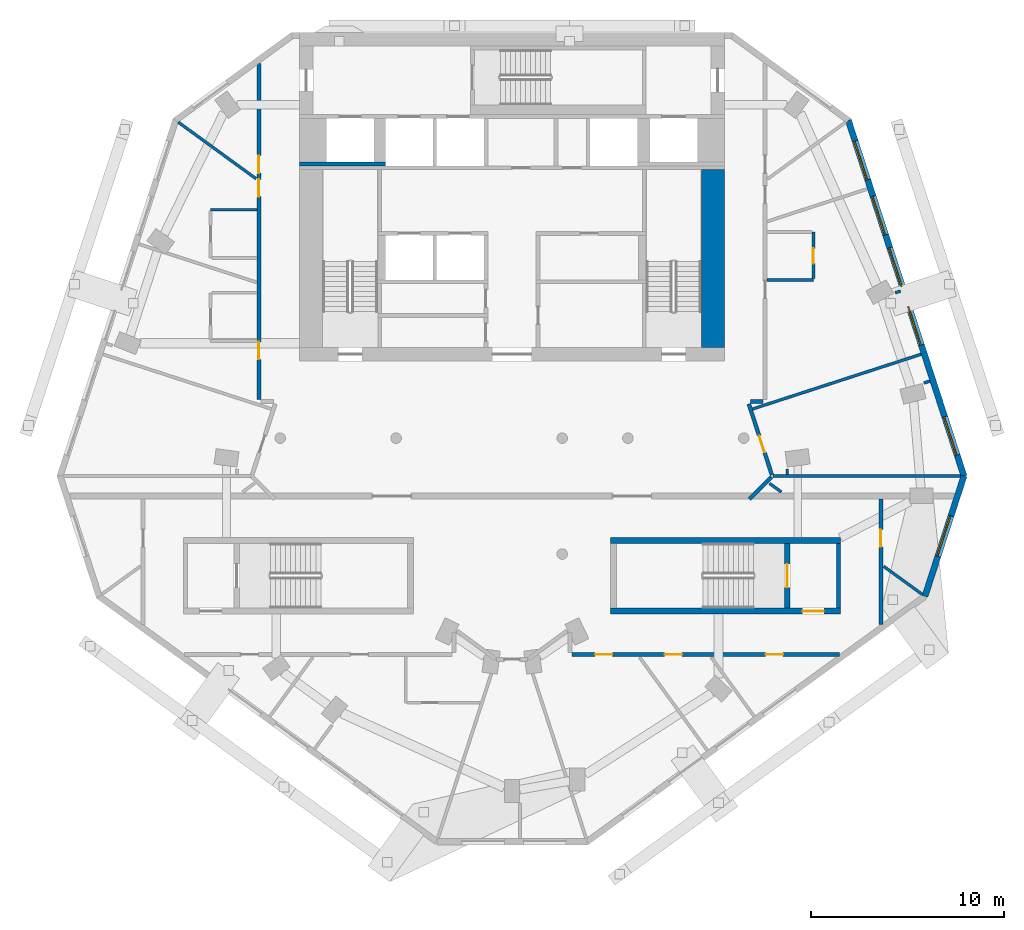
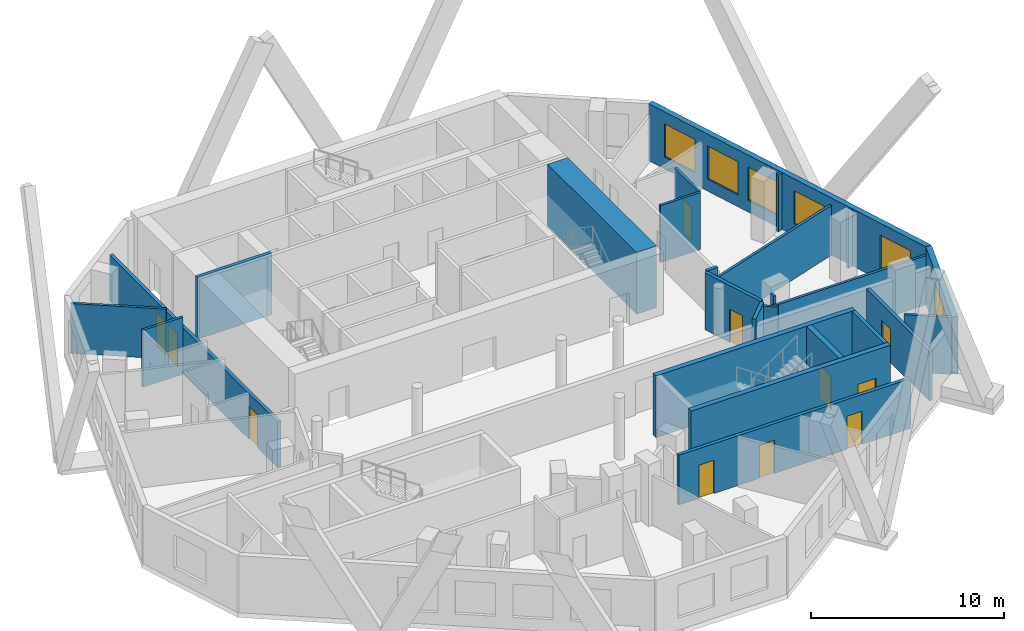
# One storey, part 5 of 9: 25 walls, 11 doors, 6 windows, 17 openings.
"""IFC4 building model written with IfcOpenShell, lengths in metres."""

import ifcopenshell
import ifcopenshell.guid

model = None  # the IFC model being written
_history = None  # IfcOwnerHistory: only IFC2X3 demands one
_inside = {}  # id of a spatial element -> (the spatial element, [elements in it])
_under = {}  # id of a project, library or spatial element -> (it, [spatial elements below it])
_declared = {}  # id of a project -> (the project, [libraries it declares])
_typed = {}  # id of a type object -> (the type object, [elements of that type])
_made_of = {}  # id of a material, layer set ... -> (it, [elements and type objects made of it])


def new_model(schema):
    """Start an empty IFC model of exactly this schema.

    Asked for "IFC4X3", IfcOpenShell would pick the latest addendum, in which some entities
    have other attributes; the version numbers below select the first issue.
    IFC2X3 requires an IfcOwnerHistory on every rooted entity: one is made here for all.
    """
    global model, _history
    if schema == "IFC4X3":
        model = ifcopenshell.file(schema_version=(4, 3, 0, 0))
    else:
        model = ifcopenshell.file(schema=schema)
    _inside.clear()
    _under.clear()
    _declared.clear()
    _typed.clear()
    _made_of.clear()
    _history = None
    if model.schema == "IFC2X3":
        org = make("IfcOrganization", Name="unknown")
        user = make(
            "IfcPersonAndOrganization",
            ThePerson=make("IfcPerson", FamilyName="unknown"),
            TheOrganization=org,
        )
        app = make(
            "IfcApplication",
            ApplicationDeveloper=org,
            Version="unknown",
            ApplicationFullName="unknown",
            ApplicationIdentifier="unknown",
        )
        _history = make(
            "IfcOwnerHistory",
            OwningUser=user,
            OwningApplication=app,
            ChangeAction="ADDED",
            CreationDate=0,
        )
    return model


def make(cls, **values):
    """One entity of the class cls with the attributes given. An attribute that is None is left unset."""
    return model.create_entity(
        cls, **{name: value for name, value in values.items() if value is not None}
    )


def rooted(cls, **values):
    """An entity with a GlobalId (a new one), such as an element, a storey or a relation."""
    return make(cls, GlobalId=ifcopenshell.guid.new(), OwnerHistory=_history, **values)


def si_unit(unit_type, name, prefix=None):
    """IfcSIUnit, for example si_unit("LENGTHUNIT", "METRE", prefix="MILLI")."""
    return make("IfcSIUnit", UnitType=unit_type, Prefix=prefix, Name=name)


def assignment(units):
    """IfcUnitAssignment: the units of a project."""
    return None if units is None else make("IfcUnitAssignment", Units=units)


def point(xyz):
    """IfcCartesianPoint."""
    return None if xyz is None else make("IfcCartesianPoint", Coordinates=xyz)


def direction(xyz):
    """IfcDirection."""
    return None if xyz is None else make("IfcDirection", DirectionRatios=xyz)


def frame(location, z_axis=None, x_axis=None):
    """IfcAxis2Placement3D, a coordinate frame: its origin and axes. An axis left out is left unset."""
    return make(
        "IfcAxis2Placement3D",
        Location=point(location),
        Axis=direction(z_axis),
        RefDirection=direction(x_axis),
    )


def frame_2d(location, x_axis=None):
    """IfcAxis2Placement2D, a coordinate frame in the plane: its origin and x axis."""
    return make(
        "IfcAxis2Placement2D", Location=point(location), RefDirection=direction(x_axis)
    )


def origin():
    """The frame at (0, 0, 0) with its axes left unset."""
    return frame((0.0, 0.0, 0.0))


def place(relative_to, where):
    """IfcLocalPlacement: puts the frame where relative to a parent placement (None: the world)."""
    return make(
        "IfcLocalPlacement", PlacementRelTo=relative_to, RelativePlacement=where
    )


def context(
    kind, dimensions, precision=None, world=None, true_north=None, identifier=None
):
    """IfcGeometricRepresentationContext, for example the 3D "Model" context."""
    return make(
        "IfcGeometricRepresentationContext",
        ContextIdentifier=identifier,
        ContextType=kind,
        CoordinateSpaceDimension=dimensions,
        Precision=precision,
        WorldCoordinateSystem=world,
        TrueNorth=true_north,
    )


def subcontext(parent, identifier, kind, view, scale=None):
    """IfcGeometricRepresentationSubContext, for example "Body" below "Model"."""
    return make(
        "IfcGeometricRepresentationSubContext",
        ContextIdentifier=identifier,
        ContextType=kind,
        ParentContext=parent,
        TargetScale=scale,
        TargetView=view,
    )


def project(units=None, contexts=None):
    """IfcProject with its units and contexts."""
    return rooted(
        "IfcProject",
        Name="project",
        RepresentationContexts=contexts,
        UnitsInContext=assignment(units),
    )


def spatial(cls, under=None, at=None, **own):
    """A site, building, storey or space (cls), placed at a placement, below another one or the project."""
    s = rooted(cls, ObjectPlacement=at, **own)
    if under is not None:
        _under.setdefault(under.id(), (under, []))[1].append(s)
    return s


def profile(cls, at=None, kind="AREA", **sizes):
    """A parametric profile (cls). Its sizes go by their IFC names, for example OverallWidth=200.0."""
    return make(cls, ProfileType=kind, Position=at, **sizes)


def rectangle(**sizes):
    """IfcRectangleProfileDef."""
    return profile("IfcRectangleProfileDef", **sizes)


def extrude(swept, where, along, depth):
    """IfcExtrudedAreaSolid: the profile swept, set in the frame where, extruded along a direction by depth."""
    return make(
        "IfcExtrudedAreaSolid",
        SweptArea=swept,
        Position=where,
        ExtrudedDirection=direction(along),
        Depth=depth,
    )


def shape(context_of_items, identifier, shape_type, items):
    """IfcShapeRepresentation: the items that make up one representation, for example the "Body"."""
    return make(
        "IfcShapeRepresentation",
        ContextOfItems=context_of_items,
        RepresentationIdentifier=identifier,
        RepresentationType=shape_type,
        Items=items,
    )


def material(Name=None, Category=None):
    """IfcMaterial."""
    return make("IfcMaterial", Name=Name, Category=Category)


def layer(
    of_material, thickness, ventilated=None, Name=None, Category=None, Priority=None
):
    """IfcMaterialLayer: one layer of a wall or slab, of a material (None: an air gap)."""
    return make(
        "IfcMaterialLayer",
        Material=of_material,
        LayerThickness=thickness,
        IsVentilated=ventilated,
        Name=Name,
        Category=Category,
        Priority=Priority,
    )


def layer_set(layers, Name=None):
    """IfcMaterialLayerSet."""
    return make("IfcMaterialLayerSet", MaterialLayers=layers, LayerSetName=Name)


def made_of(thing, what):
    """Note that an element or type object is made of a material, layer set ...; save() writes the relation."""
    if what is not None:
        _made_of.setdefault(what.id(), (what, []))[1].append(thing)
    return thing


def type_object(cls, material=None, **own):
    """A type object (cls), such as IfcWallType, which elements share."""
    return made_of(rooted(cls, **own), material)


def element(
    cls,
    number,
    at=None,
    inside=None,
    cuts=None,
    type_object=None,
    material=None,
    context=None,
    identifier="Body",
    shape_type=None,
    held_by="IfcProductDefinitionShape",
    body=None,
    shapes=None,
    **own,
):
    """One element of the class cls, such as IfcWall. Its Tag is "e" and its number.

    at: its placement. inside: the storey or other place that contains it. cuts: it is an
    opening in that element (IfcRelVoidsElement). A single representation is given by context,
    identifier, shape_type and body (its items); several are given by shapes. held_by: the class
    of the entity that holds the representations. save() writes the other relations.
    """
    e = rooted(cls, Tag="e%d" % number, ObjectPlacement=at, **own)
    if body is not None:
        shapes = [shape(context, identifier, shape_type, body)]
    if shapes is not None:
        e.Representation = make(held_by, Representations=shapes)
    if inside is not None:
        _inside.setdefault(inside.id(), (inside, []))[1].append(e)
    if cuts is not None:
        rooted(
            "IfcRelVoidsElement", RelatingBuildingElement=cuts, RelatedOpeningElement=e
        )
    if type_object is not None:
        _typed.setdefault(type_object.id(), (type_object, []))[1].append(e)
    return made_of(e, material)


def fill(opening, filler):
    """IfcRelFillsElement: the door or window that sits in an opening."""
    return rooted(
        "IfcRelFillsElement",
        RelatingOpeningElement=opening,
        RelatedBuildingElement=filler,
    )


def aggregate(whole, parts):
    """IfcRelAggregates: a whole, such as a stair, and the parts it consists of."""
    return rooted("IfcRelAggregates", RelatingObject=whole, RelatedObjects=parts)


def save(model, path):
    """Write the relations noted so far, then the file.

    IfcRelAggregates (storeys below a building ...), IfcRelContainedInSpatialStructure (elements
    in a storey), IfcRelDefinesByType, IfcRelAssociatesMaterial and IfcRelDeclares: one each for
    every whole, place, type object, material and project.
    """
    for whole, parts in _under.values():
        aggregate(whole, parts)
    for where, things in _inside.values():
        rooted(
            "IfcRelContainedInSpatialStructure",
            RelatedElements=things,
            RelatingStructure=where,
        )
    for kind, things in _typed.values():
        rooted("IfcRelDefinesByType", RelatedObjects=things, RelatingType=kind)
    for what, things in _made_of.values():
        rooted("IfcRelAssociatesMaterial", RelatedObjects=things, RelatingMaterial=what)
    for by, libraries in _declared.values():
        rooted("IfcRelDeclares", RelatingContext=by, RelatedDefinitions=libraries)
    model.write(path)


model = new_model("IFC4")

# Units and contexts
model_context = context("Model", 3, precision=1e-05, world=origin(), true_north=direction((0.0, 1.0)))
body_context = subcontext(model_context, "Body", "Model", "MODEL_VIEW")
ifc_project = project(units=[si_unit("LENGTHUNIT", "METRE"), si_unit("AREAUNIT", "SQUARE_METRE"), si_unit("VOLUMEUNIT", "CUBIC_METRE"), si_unit("PLANEANGLEUNIT", "RADIAN"), si_unit("MASSUNIT", "GRAM", prefix="KILO")], contexts=[model_context])

# Site, building, storey
site_placement = place(None, origin())
site = spatial("IfcSite", under=ifc_project, at=site_placement, CompositionType="ELEMENT")
building_placement = place(site_placement, origin())
building = spatial("IfcBuilding", under=site, at=building_placement, Name="White Candle Pilgrim Tower", CompositionType="ELEMENT")
storey_placement = place(building_placement, frame((0.0, 0.0, 260.0)))
storey = spatial("IfcBuildingStorey", under=building, at=storey_placement, Name="L61", CompositionType="ELEMENT", Elevation=260.0)

# Walls
ifc_material_1 = material(Name="Concrete C50/60", Category="concrete")
ifc_layer_1 = layer(ifc_material_1, 0.199951171875)
ifc_layer_set_1 = layer_set([ifc_layer_1], Name="Core wall 200 mm Concrete C50/60")
wall_type_1 = type_object("IfcWallType", Name="Core wall 200 mm Concrete C50/60", PredefinedType="SHEAR", material=ifc_layer_set_1)
wall_1_placement = place(storey_placement, frame((86.89990234375, 58.199951171875, 0.0), z_axis=(0.0, 0.0, 1.0), x_axis=(0.0, 1.0, 0.0)))
element("IfcWall", 1, at=wall_1_placement, inside=storey, type_object=wall_type_1, Name="WL-L61-C08", PredefinedType="SHEAR", context=body_context, shape_type="SweptSolid", body=[
    extrude(rectangle(XDim=3.35009765625, YDim=0.199951171875, at=frame_2d((1.675048828125, 0.0))), origin(), (0.0, 0.0, 1.0), 3.89990234375),
])
wall_2_placement = place(storey_placement, frame((59.0, 81.199951171875, 0.0), z_axis=(0.0, 0.0, 1.0), x_axis=(1.0, 0.0, 0.0)))
element("IfcWall", 2, at=wall_2_placement, inside=storey, type_object=wall_type_1, Name="WL-L61-C33", PredefinedType="SHEAR", context=body_context, shape_type="SweptSolid", body=[
    extrude(rectangle(XDim=4.449951171875, YDim=0.199951171875, at=frame_2d((2.22509765625, 0.0))), origin(), (0.0, 0.0, 1.0), 3.89990234375),
])

# Wall, openings, doors
ifc_material_2 = material(Name="Gypsum board on steel studs", Category="steel")
ifc_layer_2 = layer(ifc_material_2, 0.199951171875)
ifc_layer_set_2 = layer_set([ifc_layer_2], Name="Corridor wall 200 mm EI 45")
wall_type_2 = type_object("IfcWallType", Name="Corridor wall 200 mm EI 45", PredefinedType="PARTITIONING", material=ifc_layer_set_2)
wall_3_placement = place(storey_placement, frame((56.89990234375, 69.0, 0.0), z_axis=(0.0, 0.0, 1.0), x_axis=(0.0, 1.0, 0.0)))
wall_3 = element("IfcWall", 3, at=wall_3_placement, inside=storey, type_object=wall_type_2, Name="WL-L61-P006", PredefinedType="PARTITIONING", context=body_context, shape_type="SweptSolid", body=[
    extrude(rectangle(XDim=17.396240234375, YDim=0.199951171875, at=frame_2d((8.6982421875, 0.0))), origin(), (0.0, 0.0, 1.0), 2.89990234375),
])
opening_1_placement = place(wall_3_placement, frame((2.084716796875, 0.0, 0.0)))
opening_1 = element("IfcOpeningElement", 4, at=opening_1_placement, cuts=wall_3, Name="Opening T19-115", PredefinedType="OPENING", context=body_context, shape_type="SweptSolid", body=[
    extrude(rectangle(XDim=0.89990234375, YDim=2.10009765625, at=frame_2d((0.449951171875, 1.050048828125))), frame((0.0, 0.10986328125, 0.0), z_axis=(0.0, -1.0, 0.0), x_axis=(1.0, 0.0, 0.0)), (0.0, 0.0, 1.0), 0.219970703125),
])
opening_2_placement = place(wall_3_placement, frame((10.502197265625, 0.0, 0.0)))
opening_2 = element("IfcOpeningElement", 5, at=opening_2_placement, cuts=wall_3, Name="Opening T19-116", PredefinedType="OPENING", context=body_context, shape_type="SweptSolid", body=[
    extrude(rectangle(XDim=0.89990234375, YDim=2.10009765625, at=frame_2d((0.449951171875, 1.050048828125))), frame((0.0, 0.10986328125, 0.0), z_axis=(0.0, -1.0, 0.0), x_axis=(1.0, 0.0, 0.0)), (0.0, 0.0, 1.0), 0.219970703125),
])
opening_3_placement = place(wall_3_placement, frame((11.727294921875, 0.0, 0.0)))
opening_3 = element("IfcOpeningElement", 6, at=opening_3_placement, cuts=wall_3, Name="Opening T19-117", PredefinedType="OPENING", context=body_context, shape_type="SweptSolid", body=[
    extrude(rectangle(XDim=0.89990234375, YDim=2.10009765625, at=frame_2d((0.449951171875, 1.050048828125))), frame((0.0, 0.10986328125, 0.0), z_axis=(0.0, -1.0, 0.0), x_axis=(1.0, 0.0, 0.0)), (0.0, 0.0, 1.0), 0.219970703125),
])
ifc_material_3 = material(Name="Steel door leaf", Category="steel")
door_type_1 = type_object("IfcDoorType", Name="Fire door 900 x 2100 EI 30", OperationType="NOTDEFINED", PredefinedType="DOOR", material=ifc_material_3)
door_1_placement = place(opening_1_placement, frame((0.89990234375, 0.0, 0.0), z_axis=(0.0, 0.0, 1.0), x_axis=(-1.0, 0.0, 0.0)))
door_1 = element("IfcDoor", 7, at=door_1_placement, inside=storey, type_object=door_type_1, Name="Door T19-115", OperationType="SINGLE_SWING_RIGHT", OverallHeight=2.10009765625, OverallWidth=0.89990234375, PredefinedType="DOOR", context=body_context, shape_type="SweptSolid", body=[
    extrude(rectangle(XDim=0.89990234375, YDim=2.10009765625, at=frame_2d((0.449951171875, 1.050048828125))), frame((0.0, 0.02490234375, 0.0), z_axis=(0.0, -1.0, 0.0), x_axis=(1.0, 0.0, 0.0)), (0.0, 0.0, 1.0), 0.050048828125),
])
fill(opening_1, door_1)
door_2_placement = place(opening_2_placement, origin())
door_2 = element("IfcDoor", 8, at=door_2_placement, inside=storey, type_object=door_type_1, Name="Door T19-116", OperationType="SINGLE_SWING_RIGHT", OverallHeight=2.10009765625, OverallWidth=0.89990234375, PredefinedType="DOOR", context=body_context, shape_type="SweptSolid", body=[
    extrude(rectangle(XDim=0.89990234375, YDim=2.10009765625, at=frame_2d((0.449951171875, 1.050048828125))), frame((0.0, 0.02490234375, 0.0), z_axis=(0.0, -1.0, 0.0), x_axis=(1.0, 0.0, 0.0)), (0.0, 0.0, 1.0), 0.050048828125),
])
fill(opening_2, door_2)
door_3_placement = place(opening_3_placement, origin())
door_3 = element("IfcDoor", 9, at=door_3_placement, inside=storey, type_object=door_type_1, Name="Door T19-117", OperationType="SINGLE_SWING_LEFT", OverallHeight=2.10009765625, OverallWidth=0.89990234375, PredefinedType="DOOR", context=body_context, shape_type="SweptSolid", body=[
    extrude(rectangle(XDim=0.89990234375, YDim=2.10009765625, at=frame_2d((0.449951171875, 1.050048828125))), frame((0.0, 0.02490234375, 0.0), z_axis=(0.0, -1.0, 0.0), x_axis=(1.0, 0.0, 0.0)), (0.0, 0.0, 1.0), 0.050048828125),
])
fill(opening_3, door_3)

# Wall
wall_4_placement = place(storey_placement, frame((83.0, 68.89990234375, 0.0), z_axis=(0.0, 0.0, 1.0), x_axis=(-1.0, 0.0, 0.0)))
element("IfcWall", 10, at=wall_4_placement, inside=storey, type_object=wall_type_2, Name="WL-L61-P008", PredefinedType="PARTITIONING", context=body_context, shape_type="SweptSolid", body=[
    extrude(rectangle(XDim=0.64208984375, YDim=0.199951171875, at=frame_2d((0.321044921875, 0.0))), origin(), (0.0, 0.0, 1.0), 3.60009765625),
])

# Wall, opening, door
wall_5_placement = place(storey_placement, frame((82.2626953125, 68.76904296875, 0.0), z_axis=(0.0, 0.0, 1.0), x_axis=(0.309050338142, -0.951045681602, 0.0)))
wall_5 = element("IfcWall", 11, at=wall_5_placement, inside=storey, type_object=wall_type_2, Name="WL-L61-P009", PredefinedType="PARTITIONING", context=body_context, shape_type="SweptSolid", body=[
    extrude(rectangle(XDim=3.862060546875, YDim=0.199951171875, at=frame_2d((1.93115234375, 0.0))), origin(), (0.0, 0.0, 1.0), 3.60009765625),
])
opening_4_placement = place(wall_5_placement, frame((1.731201171875, 0.0, 0.0)))
opening_4 = element("IfcOpeningElement", 12, at=opening_4_placement, cuts=wall_5, Name="Opening T19-121", PredefinedType="OPENING", context=body_context, shape_type="SweptSolid", body=[
    extrude(rectangle(XDim=0.89990234375, YDim=2.10009765625, at=frame_2d((0.449951171875, 1.050048828125))), frame((0.0, 0.10986328125, 0.0), z_axis=(0.0, -1.0, 0.0), x_axis=(1.0, 0.0, 0.0)), (0.0, 0.0, 1.0), 0.219970703125),
])
door_4_placement = place(opening_4_placement, origin())
door_4 = element("IfcDoor", 13, at=door_4_placement, inside=storey, type_object=door_type_1, Name="Door T19-121", OperationType="SINGLE_SWING_LEFT", OverallHeight=2.10009765625, OverallWidth=0.89990234375, PredefinedType="DOOR", context=body_context, shape_type="SweptSolid", body=[
    extrude(rectangle(XDim=0.89990234375, YDim=2.10009765625, at=frame_2d((0.449951171875, 1.050048828125))), frame((0.0, 0.02490234375, 0.0), z_axis=(0.0, -1.0, 0.0), x_axis=(1.0, 0.0, 0.0)), (0.0, 0.0, 1.0), 0.050048828125),
])
fill(opening_4, door_4)

# Wall
wall_6_placement = place(storey_placement, frame((83.431884765625, 64.994384765625, 0.0), z_axis=(0.0, 0.0, 1.0), x_axis=(-0.70635124515, -0.707861510802, 0.0)))
element("IfcWall", 14, at=wall_6_placement, inside=storey, type_object=wall_type_2, Name="WL-L61-P010", PredefinedType="PARTITIONING", context=body_context, shape_type="SweptSolid", body=[
    extrude(rectangle(XDim=1.616455078125, YDim=0.199951171875, at=frame_2d((0.80810546875, 0.0))), origin(), (0.0, 0.0, 1.0), 3.60009765625),
])

# Wall, opening, door
wall_7_placement = place(storey_placement, frame((89.10009765625, 63.85009765625, 0.0), z_axis=(0.0, 0.0, 1.0), x_axis=(0.0, -1.0, 0.0)))
wall_7 = element("IfcWall", 15, at=wall_7_placement, inside=storey, type_object=wall_type_2, Name="WL-L61-P011", PredefinedType="PARTITIONING", context=body_context, shape_type="SweptSolid", body=[
    extrude(rectangle(XDim=6.49560546875, YDim=0.199951171875, at=frame_2d((3.247802734375, 0.0))), origin(), (0.0, 0.0, 1.0), 3.14990234375),
])
opening_5_placement = place(wall_7_placement, frame((1.580810546875, 0.0, 0.0)))
opening_5 = element("IfcOpeningElement", 16, at=opening_5_placement, cuts=wall_7, Name="Opening T19-122", PredefinedType="OPENING", context=body_context, shape_type="SweptSolid", body=[
    extrude(rectangle(XDim=0.89990234375, YDim=2.10009765625, at=frame_2d((0.449951171875, 1.050048828125))), frame((0.0, 0.10986328125, 0.0), z_axis=(0.0, -1.0, 0.0), x_axis=(1.0, 0.0, 0.0)), (0.0, 0.0, 1.0), 0.219970703125),
])
door_5_placement = place(opening_5_placement, origin())
door_5 = element("IfcDoor", 17, at=door_5_placement, inside=storey, type_object=door_type_1, Name="Door T19-122", OperationType="SINGLE_SWING_RIGHT", OverallHeight=2.10009765625, OverallWidth=0.89990234375, PredefinedType="DOOR", context=body_context, shape_type="SweptSolid", body=[
    extrude(rectangle(XDim=0.89990234375, YDim=2.10009765625, at=frame_2d((0.449951171875, 1.050048828125))), frame((0.0, 0.02490234375, 0.0), z_axis=(0.0, -1.0, 0.0), x_axis=(1.0, 0.0, 0.0)), (0.0, 0.0, 1.0), 0.050048828125),
])
fill(opening_5, door_5)

# Wall, openings, doors
wall_8_placement = place(storey_placement, frame((86.96044921875, 55.800048828125, 0.0), z_axis=(0.0, 0.0, 1.0), x_axis=(-1.0, 0.0, 0.0)))
wall_8 = element("IfcWall", 18, at=wall_8_placement, inside=storey, type_object=wall_type_2, Name="WL-L61-P012", PredefinedType="PARTITIONING", context=body_context, shape_type="SweptSolid", body=[
    extrude(rectangle(XDim=13.8603515625, YDim=0.199951171875, at=frame_2d((6.93017578125, 0.0))), origin(), (0.0, 0.0, 1.0), 3.14990234375),
])
opening_6_placement = place(wall_8_placement, frame((11.759521484375, 0.0, 0.0)))
opening_6 = element("IfcOpeningElement", 19, at=opening_6_placement, cuts=wall_8, Name="Opening T19-107", PredefinedType="OPENING", context=body_context, shape_type="SweptSolid", body=[
    extrude(rectangle(XDim=0.89990234375, YDim=2.10009765625, at=frame_2d((0.449951171875, 1.050048828125))), frame((0.0, 0.10986328125, 0.0), z_axis=(0.0, -1.0, 0.0), x_axis=(1.0, 0.0, 0.0)), (0.0, 0.0, 1.0), 0.219970703125),
])
opening_7_placement = place(wall_8_placement, frame((8.15478515625, 0.0, 0.0)))
opening_7 = element("IfcOpeningElement", 20, at=opening_7_placement, cuts=wall_8, Name="Opening T19-108", PredefinedType="OPENING", context=body_context, shape_type="SweptSolid", body=[
    extrude(rectangle(XDim=0.89990234375, YDim=2.10009765625, at=frame_2d((0.449951171875, 1.050048828125))), frame((0.0, 0.10986328125, 0.0), z_axis=(0.0, -1.0, 0.0), x_axis=(1.0, 0.0, 0.0)), (0.0, 0.0, 1.0), 0.219970703125),
])
opening_8_placement = place(wall_8_placement, frame((2.92529296875, 0.0, 0.0)))
opening_8 = element("IfcOpeningElement", 21, at=opening_8_placement, cuts=wall_8, Name="Opening T19-109", PredefinedType="OPENING", context=body_context, shape_type="SweptSolid", body=[
    extrude(rectangle(XDim=0.89990234375, YDim=2.10009765625, at=frame_2d((0.449951171875, 1.050048828125))), frame((0.0, 0.10986328125, 0.0), z_axis=(0.0, -1.0, 0.0), x_axis=(1.0, 0.0, 0.0)), (0.0, 0.0, 1.0), 0.219970703125),
])
door_6_placement = place(opening_6_placement, origin())
door_6 = element("IfcDoor", 22, at=door_6_placement, inside=storey, type_object=door_type_1, Name="Door T19-107", OperationType="SINGLE_SWING_LEFT", OverallHeight=2.10009765625, OverallWidth=0.89990234375, PredefinedType="DOOR", context=body_context, shape_type="SweptSolid", body=[
    extrude(rectangle(XDim=0.89990234375, YDim=2.10009765625, at=frame_2d((0.449951171875, 1.050048828125))), frame((0.0, 0.02490234375, 0.0), z_axis=(0.0, -1.0, 0.0), x_axis=(1.0, 0.0, 0.0)), (0.0, 0.0, 1.0), 0.050048828125),
])
fill(opening_6, door_6)
door_7_placement = place(opening_7_placement, origin())
door_7 = element("IfcDoor", 23, at=door_7_placement, inside=storey, type_object=door_type_1, Name="Door T19-108", OperationType="SINGLE_SWING_RIGHT", OverallHeight=2.10009765625, OverallWidth=0.89990234375, PredefinedType="DOOR", context=body_context, shape_type="SweptSolid", body=[
    extrude(rectangle(XDim=0.89990234375, YDim=2.10009765625, at=frame_2d((0.449951171875, 1.050048828125))), frame((0.0, 0.02490234375, 0.0), z_axis=(0.0, -1.0, 0.0), x_axis=(1.0, 0.0, 0.0)), (0.0, 0.0, 1.0), 0.050048828125),
])
fill(opening_7, door_7)
door_8_placement = place(opening_8_placement, origin())
door_8 = element("IfcDoor", 24, at=door_8_placement, inside=storey, type_object=door_type_1, Name="Door T19-109", OperationType="SINGLE_SWING_LEFT", OverallHeight=2.10009765625, OverallWidth=0.89990234375, PredefinedType="DOOR", context=body_context, shape_type="SweptSolid", body=[
    extrude(rectangle(XDim=0.89990234375, YDim=2.10009765625, at=frame_2d((0.449951171875, 1.050048828125))), frame((0.0, 0.02490234375, 0.0), z_axis=(0.0, -1.0, 0.0), x_axis=(1.0, 0.0, 0.0)), (0.0, 0.0, 1.0), 0.050048828125),
])
fill(opening_8, door_8)

# Wall, opening, window
ifc_material_4 = material(Name="Precast concrete C40/50", Category="concrete")
ifc_layer_3 = layer(ifc_material_4, 0.320068359375)
ifc_layer_set_3 = layer_set([ifc_layer_3], Name="Facade wall EW1 precast concrete C40/50 pier wall with timber-lined reveals")
wall_type_3 = type_object("IfcWallType", Name="Facade wall EW1 precast concrete C40/50 pier wall with timber-lined reveals", PredefinedType="SOLIDWALL", material=ifc_layer_set_3)
wall_9_placement = place(storey_placement, frame((91.3779296875, 58.811767578125, 0.0), z_axis=(0.0, 0.0, 1.0), x_axis=(0.309024511065, 0.951054073942, 0.0)))
wall_9 = element("IfcWall", 25, at=wall_9_placement, inside=storey, type_object=wall_type_3, Name="Facade wall L61 E chamfer", PredefinedType="SOLIDWALL", context=body_context, shape_type="SweptSolid", body=[
    extrude(rectangle(XDim=6.546142578125, YDim=0.320068359375, at=frame_2d((3.27294921875, 0.0))), origin(), (0.0, 0.0, 1.0), 3.60009765625),
])
opening_9_placement = place(wall_9_placement, frame((2.173095703125, 0.0, 0.75)))
opening_9 = element("IfcOpeningElement", 26, at=opening_9_placement, cuts=wall_9, Name="Opening W4", PredefinedType="OPENING", context=body_context, shape_type="SweptSolid", body=[
    extrude(rectangle(XDim=2.199951171875, YDim=2.10009765625, at=frame_2d((1.10009765625, 1.050048828125))), frame((0.0, 0.169921875, 0.0), z_axis=(0.0, -1.0, 0.0), x_axis=(1.0, 0.0, 0.0)), (0.0, 0.0, 1.0), 0.340087890625),
])
ifc_material_5 = material(Name="Timber frame with triple glazing", Category="wood")
window_type_1 = type_object("IfcWindowType", Name="Window W4 2200x2100 timber frame triple glazing", PartitioningType="SINGLE_PANEL", PredefinedType="WINDOW", material=ifc_material_5)
window_1_placement = place(opening_9_placement, origin())
window_1 = element("IfcWindow", 27, at=window_1_placement, inside=storey, type_object=window_type_1, Name="Window W4 L61 E chamfer 1", OverallHeight=2.10009765625, OverallWidth=2.199951171875, PartitioningType="SINGLE_PANEL", PredefinedType="WINDOW", context=body_context, shape_type="SweptSolid", body=[
    extrude(rectangle(XDim=2.199951171875, YDim=2.10009765625, at=frame_2d((1.10009765625, 1.050048828125))), frame((0.0, 0.070068359375, 0.0), z_axis=(0.0, -1.0, 0.0), x_axis=(1.0, 0.0, 0.0)), (0.0, 0.0, 1.0), 0.06005859375),
])
fill(opening_9, window_1)

# Wall, openings, windows
wall_10_placement = place(storey_placement, frame((93.40087890625, 65.03759765625, 0.0), z_axis=(0.0, 0.0, 1.0), x_axis=(-0.309018808064, 0.95105592699, 0.0)))
wall_10 = element("IfcWall", 28, at=wall_10_placement, inside=storey, type_object=wall_type_3, Name="Facade wall L61 ENE", PredefinedType="SOLIDWALL", context=body_context, shape_type="SweptSolid", body=[
    extrude(rectangle(XDim=19.368896484375, YDim=0.320068359375, at=frame_2d((9.6845703125, 0.0))), origin(), (0.0, 0.0, 1.0), 3.60009765625),
])
opening_10_placement = place(wall_10_placement, frame((1.134521484375, 0.0, 0.75)))
opening_10 = element("IfcOpeningElement", 29, at=opening_10_placement, cuts=wall_10, Name="Opening W3", PredefinedType="OPENING", context=body_context, shape_type="SweptSolid", body=[
    extrude(rectangle(XDim=2.10009765625, YDim=2.10009765625, at=frame_2d((1.050048828125, 1.050048828125))), frame((0.0, 0.169921875, 0.0), z_axis=(0.0, -1.0, 0.0), x_axis=(1.0, 0.0, 0.0)), (0.0, 0.0, 1.0), 0.340087890625),
])
opening_11_placement = place(wall_10_placement, frame((7.134521484375, 0.0, 0.75)))
opening_11 = element("IfcOpeningElement", 30, at=opening_11_placement, cuts=wall_10, Name="Opening W3", PredefinedType="OPENING", context=body_context, shape_type="SweptSolid", body=[
    extrude(rectangle(XDim=2.10009765625, YDim=2.10009765625, at=frame_2d((1.050048828125, 1.050048828125))), frame((0.0, 0.169921875, 0.0), z_axis=(0.0, -1.0, 0.0), x_axis=(1.0, 0.0, 0.0)), (0.0, 0.0, 1.0), 0.340087890625),
])
opening_12_placement = place(wall_10_placement, frame((10.33447265625, 0.0, 0.75)))
opening_12 = element("IfcOpeningElement", 31, at=opening_12_placement, cuts=wall_10, Name="Opening W3", PredefinedType="OPENING", context=body_context, shape_type="SweptSolid", body=[
    extrude(rectangle(XDim=2.10009765625, YDim=2.10009765625, at=frame_2d((1.050048828125, 1.050048828125))), frame((0.0, 0.169921875, 0.0), z_axis=(0.0, -1.0, 0.0), x_axis=(1.0, 0.0, 0.0)), (0.0, 0.0, 1.0), 0.340087890625),
])
opening_13_placement = place(wall_10_placement, frame((13.134521484375, 0.0, 0.75)))
opening_13 = element("IfcOpeningElement", 32, at=opening_13_placement, cuts=wall_10, Name="Opening W3", PredefinedType="OPENING", context=body_context, shape_type="SweptSolid", body=[
    extrude(rectangle(XDim=2.10009765625, YDim=2.10009765625, at=frame_2d((1.050048828125, 1.050048828125))), frame((0.0, 0.169921875, 0.0), z_axis=(0.0, -1.0, 0.0), x_axis=(1.0, 0.0, 0.0)), (0.0, 0.0, 1.0), 0.340087890625),
])
opening_14_placement = place(wall_10_placement, frame((16.134521484375, 0.0, 0.75)))
opening_14 = element("IfcOpeningElement", 33, at=opening_14_placement, cuts=wall_10, Name="Opening W3", PredefinedType="OPENING", context=body_context, shape_type="SweptSolid", body=[
    extrude(rectangle(XDim=2.10009765625, YDim=2.10009765625, at=frame_2d((1.050048828125, 1.050048828125))), frame((0.0, 0.169921875, 0.0), z_axis=(0.0, -1.0, 0.0), x_axis=(1.0, 0.0, 0.0)), (0.0, 0.0, 1.0), 0.340087890625),
])
window_type_2 = type_object("IfcWindowType", Name="Window W3 2100x2100 timber frame triple glazing", PartitioningType="SINGLE_PANEL", PredefinedType="WINDOW", material=ifc_material_5)
window_2_placement = place(opening_10_placement, origin())
window_2 = element("IfcWindow", 34, at=window_2_placement, inside=storey, type_object=window_type_2, Name="Window W3 L61 ENE 1", OverallHeight=2.10009765625, OverallWidth=2.10009765625, PartitioningType="SINGLE_PANEL", PredefinedType="WINDOW", context=body_context, shape_type="SweptSolid", body=[
    extrude(rectangle(XDim=2.10009765625, YDim=2.10009765625, at=frame_2d((1.050048828125, 1.050048828125))), frame((0.0, 0.070068359375, 0.0), z_axis=(0.0, -1.0, 0.0), x_axis=(1.0, 0.0, 0.0)), (0.0, 0.0, 1.0), 0.06005859375),
])
fill(opening_10, window_2)
window_3_placement = place(opening_11_placement, origin())
window_3 = element("IfcWindow", 35, at=window_3_placement, inside=storey, type_object=window_type_2, Name="Window W3 L61 ENE 3", OverallHeight=2.10009765625, OverallWidth=2.10009765625, PartitioningType="SINGLE_PANEL", PredefinedType="WINDOW", context=body_context, shape_type="SweptSolid", body=[
    extrude(rectangle(XDim=2.10009765625, YDim=2.10009765625, at=frame_2d((1.050048828125, 1.050048828125))), frame((0.0, 0.070068359375, 0.0), z_axis=(0.0, -1.0, 0.0), x_axis=(1.0, 0.0, 0.0)), (0.0, 0.0, 1.0), 0.06005859375),
])
fill(opening_11, window_3)
window_4_placement = place(opening_12_placement, origin())
window_4 = element("IfcWindow", 36, at=window_4_placement, inside=storey, type_object=window_type_2, Name="Window W3 L61 ENE 4", OverallHeight=2.10009765625, OverallWidth=2.10009765625, PartitioningType="SINGLE_PANEL", PredefinedType="WINDOW", context=body_context, shape_type="SweptSolid", body=[
    extrude(rectangle(XDim=2.10009765625, YDim=2.10009765625, at=frame_2d((1.050048828125, 1.050048828125))), frame((0.0, 0.070068359375, 0.0), z_axis=(0.0, -1.0, 0.0), x_axis=(1.0, 0.0, 0.0)), (0.0, 0.0, 1.0), 0.06005859375),
])
fill(opening_12, window_4)
window_5_placement = place(opening_13_placement, origin())
window_5 = element("IfcWindow", 37, at=window_5_placement, inside=storey, type_object=window_type_2, Name="Window W3 L61 ENE 5", OverallHeight=2.10009765625, OverallWidth=2.10009765625, PartitioningType="SINGLE_PANEL", PredefinedType="WINDOW", context=body_context, shape_type="SweptSolid", body=[
    extrude(rectangle(XDim=2.10009765625, YDim=2.10009765625, at=frame_2d((1.050048828125, 1.050048828125))), frame((0.0, 0.070068359375, 0.0), z_axis=(0.0, -1.0, 0.0), x_axis=(1.0, 0.0, 0.0)), (0.0, 0.0, 1.0), 0.06005859375),
])
fill(opening_13, window_5)
window_6_placement = place(opening_14_placement, origin())
window_6 = element("IfcWindow", 38, at=window_6_placement, inside=storey, type_object=window_type_2, Name="Window W3 L61 ENE 6", OverallHeight=2.10009765625, OverallWidth=2.10009765625, PartitioningType="SINGLE_PANEL", PredefinedType="WINDOW", context=body_context, shape_type="SweptSolid", body=[
    extrude(rectangle(XDim=2.10009765625, YDim=2.10009765625, at=frame_2d((1.050048828125, 1.050048828125))), frame((0.0, 0.070068359375, 0.0), z_axis=(0.0, -1.0, 0.0), x_axis=(1.0, 0.0, 0.0)), (0.0, 0.0, 1.0), 0.06005859375),
])
fill(opening_14, window_6)

# Walls
ifc_layer_4 = layer(ifc_material_2, 0.14990234375)
ifc_layer_set_4 = layer_set([ifc_layer_4], Name="Partition 150 mm EI 60")
wall_type_4 = type_object("IfcWallType", Name="Partition 150 mm EI 60", PredefinedType="PARTITIONING", material=ifc_layer_set_4)
wall_11_placement = place(storey_placement, frame((52.720458984375, 83.359619140625, 0.0), z_axis=(0.0, 0.0, 1.0), x_axis=(0.809017493514, -0.587784565286, 0.0)))
element("IfcWall", 39, at=wall_11_placement, inside=storey, type_object=wall_type_4, Name="WL-L61-P019", PredefinedType="PARTITIONING", context=body_context, shape_type="SweptSolid", body=[
    extrude(rectangle(XDim=4.988037109375, YDim=0.14990234375, at=frame_2d((2.494140625, 0.0))), origin(), (0.0, 0.0, 1.0), 3.14990234375),
])
wall_12_placement = place(storey_placement, frame((91.241943359375, 58.91064453125, 0.0), z_axis=(0.0, 0.0, 1.0), x_axis=(-0.808983967864, 0.587830706699, 0.0)))
element("IfcWall", 40, at=wall_12_placement, inside=storey, type_object=wall_type_4, Name="WL-L61-P025", PredefinedType="PARTITIONING", context=body_context, shape_type="SweptSolid", body=[
    extrude(rectangle(XDim=2.469482421875, YDim=0.14990234375, at=frame_2d((1.23486328125, 0.0))), origin(), (0.0, 0.0, 1.0), 3.60009765625),
])
wall_13_placement = place(storey_placement, frame((83.947021484375, 64.210693359375, 0.0), z_axis=(0.0, 0.0, 1.0), x_axis=(-0.808985495234, 0.587828604698, 0.0)))
element("IfcWall", 41, at=wall_13_placement, inside=storey, type_object=wall_type_4, Name="WL-L61-P026", PredefinedType="PARTITIONING", context=body_context, shape_type="SweptSolid", body=[
    extrude(rectangle(XDim=0.76171875, YDim=0.14990234375, at=frame_2d((0.380859375, 0.0))), origin(), (0.0, 0.0, 1.0), 3.60009765625),
])
wall_14_placement = place(storey_placement, frame((93.232666015625, 65.03759765625, 0.0), z_axis=(0.0, 0.0, 1.0), x_axis=(-1.0, 0.0, 0.0)))
element("IfcWall", 42, at=wall_14_placement, inside=storey, type_object=wall_type_4, Name="WL-L61-P027", PredefinedType="PARTITIONING", context=body_context, shape_type="SweptSolid", body=[
    extrude(rectangle(XDim=9.724853515625, YDim=0.14990234375, at=frame_2d((4.8623046875, 0.0))), origin(), (0.0, 0.0, 1.0), 3.10009765625),
])
wall_15_placement = place(storey_placement, frame((56.800048828125, 78.827880859375, 0.0), z_axis=(0.0, 0.0, 1.0), x_axis=(-1.0, 0.0, 0.0)))
element("IfcWall", 43, at=wall_15_placement, inside=storey, type_object=wall_type_4, Name="WL-L61-P031", PredefinedType="PARTITIONING", context=body_context, shape_type="SweptSolid", body=[
    extrude(rectangle(XDim=2.400146484375, YDim=0.14990234375, at=frame_2d((1.2001953125, 0.0))), origin(), (0.0, 0.0, 1.0), 3.60009765625),
])
wall_16_placement = place(storey_placement, frame((91.18310546875, 71.345458984375, 0.0), z_axis=(0.0, 0.0, 1.0), x_axis=(-0.951060058909, -0.309006091118, 0.0)))
element("IfcWall", 44, at=wall_16_placement, inside=storey, type_object=wall_type_4, Name="WL-L61-P042", PredefinedType="PARTITIONING", context=body_context, shape_type="SweptSolid", body=[
    extrude(rectangle(XDim=9.179931640625, YDim=0.14990234375, at=frame_2d((4.58984375, 0.0))), origin(), (0.0, 0.0, 1.0), 3.14990234375),
])
wall_17_placement = place(storey_placement, frame((83.199951171875, 75.182373046875, 0.0), z_axis=(0.0, 0.0, 1.0), x_axis=(1.0, 0.0, 0.0)))
element("IfcWall", 45, at=wall_17_placement, inside=storey, type_object=wall_type_4, Name="WL-L61-P044", PredefinedType="PARTITIONING", context=body_context, shape_type="SweptSolid", body=[
    extrude(rectangle(XDim=2.400146484375, YDim=0.14990234375, at=frame_2d((1.2001953125, 0.0))), origin(), (0.0, 0.0, 1.0), 3.60009765625),
])

# Wall, opening, door
wall_18_placement = place(storey_placement, frame((85.60009765625, 77.682373046875, 0.0), z_axis=(0.0, 0.0, 1.0), x_axis=(0.0, -1.0, 0.0)))
wall_18 = element("IfcWall", 46, at=wall_18_placement, inside=storey, type_object=wall_type_4, Name="WL-L61-P045", PredefinedType="PARTITIONING", context=body_context, shape_type="SweptSolid", body=[
    extrude(rectangle(XDim=2.425048828125, YDim=0.14990234375, at=frame_2d((1.21240234375, 0.0))), origin(), (0.0, 0.0, 1.0), 3.60009765625),
])
opening_15_placement = place(wall_18_placement, frame((0.85009765625, 0.0, 0.0)))
opening_15 = element("IfcOpeningElement", 47, at=opening_15_placement, cuts=wall_18, Name="Opening T19-110", PredefinedType="OPENING", context=body_context, shape_type="SweptSolid", body=[
    extrude(rectangle(XDim=0.800048828125, YDim=2.10009765625, at=frame_2d((0.39990234375, 1.050048828125))), frame((0.0, 0.0849609375, 0.0), z_axis=(0.0, -1.0, 0.0), x_axis=(1.0, 0.0, 0.0)), (0.0, 0.0, 1.0), 0.169921875),
])
door_type_2 = type_object("IfcDoorType", Name="Fire door 800 x 2100 EI 30", OperationType="NOTDEFINED", PredefinedType="DOOR", material=ifc_material_3)
door_9_placement = place(opening_15_placement, origin())
door_9 = element("IfcDoor", 48, at=door_9_placement, inside=storey, type_object=door_type_2, Name="Door T19-110", OperationType="SINGLE_SWING_RIGHT", OverallHeight=2.10009765625, OverallWidth=0.800048828125, PredefinedType="DOOR", context=body_context, shape_type="SweptSolid", body=[
    extrude(rectangle(XDim=0.800048828125, YDim=2.10009765625, at=frame_2d((0.39990234375, 1.050048828125))), frame((0.0, 0.02490234375, 0.0), z_axis=(0.0, -1.0, 0.0), x_axis=(1.0, 0.0, 0.0)), (0.0, 0.0, 1.0), 0.050048828125),
])
fill(opening_15, door_9)

# Walls
wall_19_placement = place(storey_placement, frame((91.327392578125, 69.855712890625, 0.0), z_axis=(0.0, 0.0, 1.0), x_axis=(0.951072921112, 0.308966500981, 0.0)))
element("IfcWall", 49, at=wall_19_placement, inside=storey, type_object=wall_type_4, Name="WL-L61-P049", PredefinedType="PARTITIONING", context=body_context, shape_type="SweptSolid", body=[
    extrude(rectangle(XDim=0.3232421875, YDim=0.14990234375, at=frame_2d((0.16162109375, 0.0))), origin(), (0.0, 0.0, 1.0), 3.60009765625),
])
wall_20_placement = place(storey_placement, frame((89.844482421875, 74.528564453125, 0.0), z_axis=(0.0, 0.0, 1.0), x_axis=(0.950934896197, 0.30939105222, 0.0)))
element("IfcWall", 50, at=wall_20_placement, inside=storey, type_object=wall_type_4, Name="WL-L61-P050", PredefinedType="PARTITIONING", context=body_context, shape_type="SweptSolid", body=[
    extrude(rectangle(XDim=0.28955078125, YDim=0.14990234375, at=frame_2d((0.144775390625, 0.0))), origin(), (0.0, 0.0, 1.0), 3.60009765625),
])
wall_21_placement = place(storey_placement, frame((84.250732421875, 65.4140625, 0.0), z_axis=(0.0, 0.0, 1.0), x_axis=(0.0, -1.0, 0.0)))
element("IfcWall", 51, at=wall_21_placement, inside=storey, type_object=wall_type_4, Name="WL-L61-P052", PredefinedType="PARTITIONING", context=body_context, shape_type="SweptSolid", body=[
    extrude(rectangle(XDim=0.30126953125, YDim=0.14990234375, at=frame_2d((0.150634765625, 0.0))), origin(), (0.0, 0.0, 1.0), 3.60009765625),
])
ifc_layer_5 = layer(ifc_material_1, 1.199951171875)
ifc_layer_set_5 = layer_set([ifc_layer_5], Name="Stair shaft wall 1200 mm Concrete C50/60")
wall_type_5 = type_object("IfcWallType", Name="Stair shaft wall 1200 mm Concrete C50/60", PredefinedType="SHEAR", material=ifc_layer_set_5)
wall_22_placement = place(storey_placement, frame((80.39990234375, 71.699951171875, 0.0), z_axis=(0.0, 0.0, 1.0), x_axis=(0.0, 1.0, 0.0)))
element("IfcWall", 52, at=wall_22_placement, inside=storey, type_object=wall_type_5, Name="WL-L61-C17", PredefinedType="SHEAR", context=body_context, shape_type="SweptSolid", body=[
    extrude(rectangle(XDim=9.199951171875, YDim=1.199951171875, at=frame_2d((4.60009765625, 0.0))), origin(), (0.0, 0.0, 1.0), 3.89990234375),
])

# Wall, opening, door
ifc_layer_6 = layer(ifc_material_1, 0.300048828125)
ifc_layer_set_6 = layer_set([ifc_layer_6], Name="Stair shaft wall 300 mm Concrete C50/60")
wall_type_6 = type_object("IfcWallType", Name="Stair shaft wall 300 mm Concrete C50/60", PredefinedType="SHEAR", material=ifc_layer_set_6)
wall_23_placement = place(storey_placement, frame((75.10009765625, 58.050048828125, 0.0), z_axis=(0.0, 0.0, 1.0), x_axis=(1.0, 0.0, 0.0)))
wall_23 = element("IfcWall", 53, at=wall_23_placement, inside=storey, type_object=wall_type_6, Name="WL-L61-C02", PredefinedType="SHEAR", context=body_context, shape_type="SweptSolid", body=[
    extrude(rectangle(XDim=11.89990234375, YDim=0.300048828125, at=frame_2d((5.949951171875, 0.0))), origin(), (0.0, 0.0, 1.0), 3.89990234375),
])
opening_16_placement = place(wall_23_placement, frame((9.949951171875, 0.0, 0.0)))
opening_16 = element("IfcOpeningElement", 54, at=opening_16_placement, cuts=wall_23, Name="Opening T19-012", PredefinedType="OPENING", context=body_context, shape_type="SweptSolid", body=[
    extrude(rectangle(XDim=1.10009765625, YDim=2.10009765625, at=frame_2d((0.550048828125, 1.050048828125))), frame((0.0, 0.159912109375, 0.0), z_axis=(0.0, -1.0, 0.0), x_axis=(1.0, 0.0, 0.0)), (0.0, 0.0, 1.0), 0.320068359375),
])
door_type_3 = type_object("IfcDoorType", Name="Fire door 1100 x 2100 EI 60", OperationType="NOTDEFINED", PredefinedType="DOOR", material=ifc_material_3)
door_10_placement = place(opening_16_placement, origin())
door_10 = element("IfcDoor", 55, at=door_10_placement, inside=storey, type_object=door_type_3, Name="Door T19-012", OperationType="SINGLE_SWING_RIGHT", OverallHeight=2.10009765625, OverallWidth=1.10009765625, PredefinedType="DOOR", context=body_context, shape_type="SweptSolid", body=[
    extrude(rectangle(XDim=1.10009765625, YDim=2.10009765625, at=frame_2d((0.550048828125, 1.050048828125))), frame((0.0, 0.02490234375, 0.0), z_axis=(0.0, -1.0, 0.0), x_axis=(1.0, 0.0, 0.0)), (0.0, 0.0, 1.0), 0.050048828125),
])
fill(opening_16, door_10)

wall_24_placement = place(storey_placement, frame((84.25, 58.199951171875, 0.0), z_axis=(0.0, 0.0, 1.0), x_axis=(0.0, 1.0, 0.0)))
wall_24 = element("IfcWall", 56, at=wall_24_placement, inside=storey, type_object=wall_type_6, Name="WL-L61-C07", PredefinedType="SHEAR", context=body_context, shape_type="SweptSolid", body=[
    extrude(rectangle(XDim=3.35009765625, YDim=0.300048828125, at=frame_2d((1.675048828125, 0.0))), origin(), (0.0, 0.0, 1.0), 3.89990234375),
])
opening_17_placement = place(wall_24_placement, frame((1.074951171875, 0.0, 0.0)))
opening_17 = element("IfcOpeningElement", 57, at=opening_17_placement, cuts=wall_24, Name="Opening T19-013", PredefinedType="OPENING", context=body_context, shape_type="SweptSolid", body=[
    extrude(rectangle(XDim=1.199951171875, YDim=2.10009765625, at=frame_2d((0.60009765625, 1.050048828125))), frame((0.0, 0.159912109375, 0.0), z_axis=(0.0, -1.0, 0.0), x_axis=(1.0, 0.0, 0.0)), (0.0, 0.0, 1.0), 0.320068359375),
])
door_type_4 = type_object("IfcDoorType", Name="Fire door 1200 x 2100 EI 60", OperationType="NOTDEFINED", PredefinedType="DOOR", material=ifc_material_3)
door_11_placement = place(opening_17_placement, origin())
door_11 = element("IfcDoor", 58, at=door_11_placement, inside=storey, type_object=door_type_4, Name="Door T19-013", OperationType="SINGLE_SWING_LEFT", OverallHeight=2.10009765625, OverallWidth=1.199951171875, PredefinedType="DOOR", context=body_context, shape_type="SweptSolid", body=[
    extrude(rectangle(XDim=1.199951171875, YDim=2.10009765625, at=frame_2d((0.60009765625, 1.050048828125))), frame((0.0, 0.02490234375, 0.0), z_axis=(0.0, -1.0, 0.0), x_axis=(1.0, 0.0, 0.0)), (0.0, 0.0, 1.0), 0.050048828125),
])
fill(opening_17, door_11)

# Wall
wall_25_placement = place(storey_placement, frame((75.10009765625, 61.699951171875, 0.0), z_axis=(0.0, 0.0, 1.0), x_axis=(1.0, 0.0, 0.0)))
element("IfcWall", 59, at=wall_25_placement, inside=storey, type_object=wall_type_6, Name="WL-L61-C10", PredefinedType="SHEAR", context=body_context, shape_type="SweptSolid", body=[
    extrude(rectangle(XDim=11.89990234375, YDim=0.300048828125, at=frame_2d((5.949951171875, 0.0))), origin(), (0.0, 0.0, 1.0), 3.89990234375),
])

save(model, "model.ifc")
